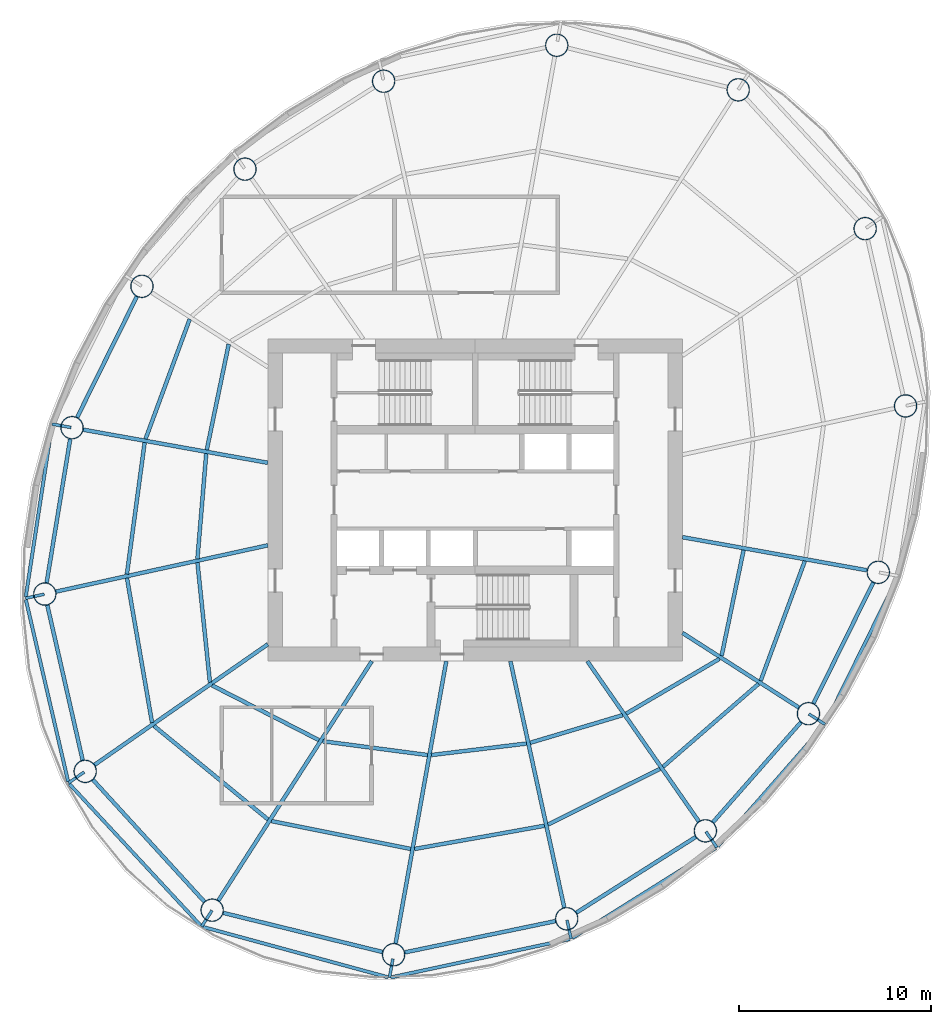
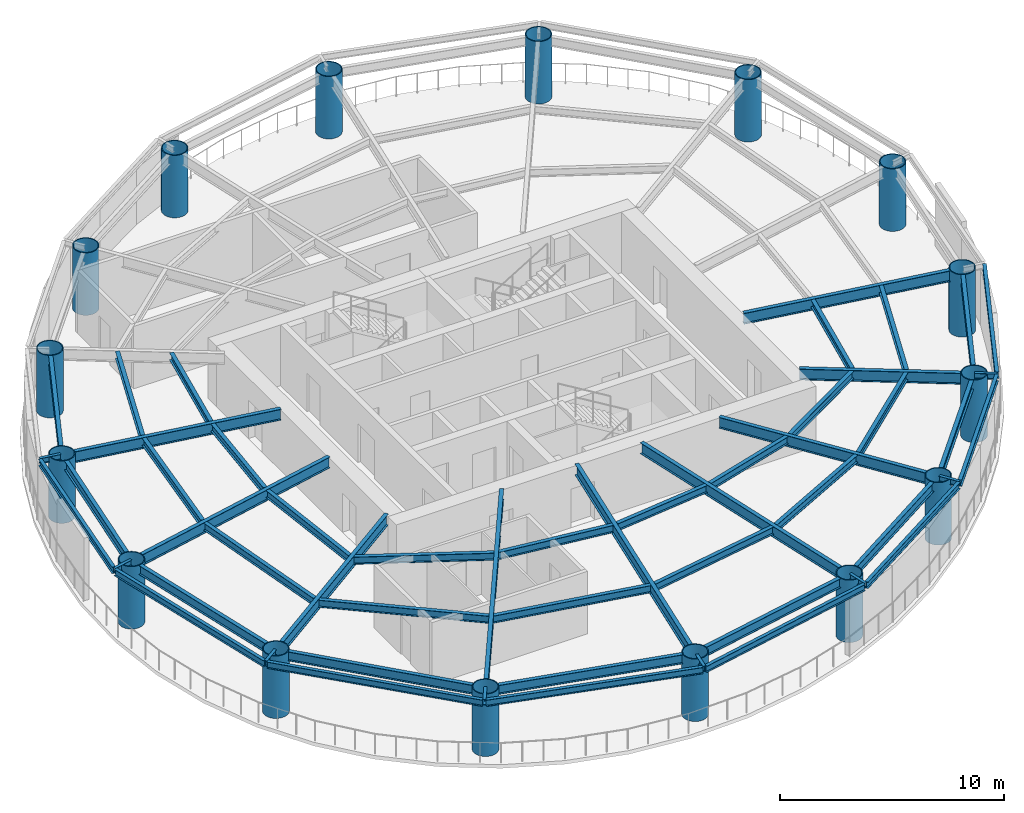
# One storey, part 1 of 8: 52 beams, 16 columns.
"""IFC4 building model written with IfcOpenShell, lengths in metres."""

from ifc_helpers import new_model, si_unit, direction, frame, origin, origin_2d, place, context, subcontext, project, spatial, hollow_circle, i_section, extrude, material, material_profile, profile_set, type_object, element, save


model = new_model("IFC4")

# Units and contexts
model_context = context("Model", 3, precision=1e-05, world=origin(), true_north=direction((0.0, 1.0)))
body_context = subcontext(model_context, "Body", "Model", "MODEL_VIEW")
ifc_project = project(units=[si_unit("LENGTHUNIT", "METRE"), si_unit("AREAUNIT", "SQUARE_METRE"), si_unit("VOLUMEUNIT", "CUBIC_METRE"), si_unit("PLANEANGLEUNIT", "RADIAN"), si_unit("MASSUNIT", "GRAM", prefix="KILO")], contexts=[model_context])

# Site, building, storey
site_placement = place(None, origin())
site = spatial("IfcSite", under=ifc_project, at=site_placement, CompositionType="ELEMENT")
building_placement = place(site_placement, origin())
building = spatial("IfcBuilding", under=site, at=building_placement, Name="Vermilion Reach Broadcast Tower", CompositionType="ELEMENT")
storey_placement = place(building_placement, frame((0.0, 0.0, 242.5)))
storey = spatial("IfcBuildingStorey", under=building, at=storey_placement, Name="L60", CompositionType="ELEMENT", Elevation=242.5)

# Columns
ifc_material_1 = material(Name="Concrete C60 infill in steel S460NL tube", Category="concrete")
ifc_material_profile_1 = material_profile(ifc_material_1, hollow_circle(Radius=0.60009765625, WallThickness=0.044921875, at=origin_2d()), Name="Concrete C60 infill in steel S460NL tube CFT 1200x45")
ifc_profile_set_1 = profile_set([ifc_material_profile_1], Name="Concrete C60 infill in steel S460NL tube")
column_type = type_object("IfcColumnType", Name="MC4 CFT 1200x45", PredefinedType="COLUMN", material=ifc_profile_set_1)
for number, where, z_axis, x_axis, name in (
    (1, (7.70361328125, 21.3701171875, 0.0), (0.0, 0.0, 1.0), (1.0, 0.0, 0.0), "Mega-column MC4-01"),
    (2, (-1.75, 23.691162109375, 0.0), (0.0, 0.0, 1.0), (1.0, 0.0, 0.0), "Mega-column MC4-02"),
    (3, (-10.769287109375, 21.818603515625, 0.0), (0.0, 0.0, 1.0), (1.0, 0.0, 0.0), "Mega-column MC4-03"),
    (4, (-17.993408203125, 17.23681640625, 0.0), (0.0, 0.0, 1.0), (1.0, 0.0, 0.0), "Mega-column MC4-04"),
    (5, (-23.36279296875, 11.134033203125, 0.0), (0.0, 0.0, 1.0), (1.0, 0.0, 0.0), "Mega-column MC4-05"),
    (6, (-27.002685546875, 3.767578125, 0.0), (0.0, 0.0, 1.0), (1.0, 0.0, 0.0), "Mega-column MC4-06"),
    (7, (-28.423828125, -4.9013671875, 0.0), (0.0, 0.0, 1.0), (1.0, 0.0, 0.0), "Mega-column MC4-07"),
    (8, (-26.318115234375, -14.13720703125, 0.0), (0.0, 0.0, 1.0), (1.0, 0.0, 0.0), "Mega-column MC4-08"),
    (9, (-19.70361328125, -21.3701171875, 0.0), (0.0, 0.0, 1.0), (1.0, 0.0, 0.0), "Mega-column MC4-09"),
    (10, (-10.25, -23.691162109375, 0.0), (0.0, 0.0, 1.0), (1.0, 0.0, 0.0), "Mega-column MC4-10"),
    (11, (-1.230712890625, -21.818603515625, 0.0), (0.0, 0.0, 1.0), (1.0, 0.0, 0.0), "Mega-column MC4-11"),
    (12, (5.993408203125, -17.23681640625, 0.0), (0.0, 0.0, 1.0), (1.0, 0.0, 0.0), "Mega-column MC4-12"),
    (13, (11.36279296875, -11.134033203125, 0.0), (0.0, 0.0, 1.0), (1.0, 0.0, 0.0), "Mega-column MC4-13"),
    (14, (15.002685546875, -3.767578125, 0.0), (0.0, 0.0, 1.0), (1.0, 0.0, 0.0), "Mega-column MC4-14"),
    (15, (16.423828125, 4.9013671875, 0.0), (0.0, 0.0, 1.0), (1.0, 0.0, 0.0), "Mega-column MC4-15"),
    (16, (14.318115234375, 14.13720703125, 0.0), (0.0, 0.0, 1.0), (1.0, 0.0, 0.0), "Mega-column MC4-16"),
):
    element("IfcColumn", number, at=place(storey_placement, frame(where, z_axis=z_axis, x_axis=x_axis)), inside=storey, type_object=column_type, Name=name, PredefinedType="COLUMN", context=body_context, shape_type="SweptSolid", body=[
        extrude(hollow_circle(Radius=0.60009765625, WallThickness=0.044921875, at=origin_2d()), origin(), (0.0, 0.0, 1.0), 3.39990234375),
    ])

# Beams
ifc_material_2 = material(Name="Steel S355J2", Category="steel")
ifc_material_profile_2 = material_profile(ifc_material_2, i_section(OverallWidth=0.175048828125, OverallDepth=0.35009765625, WebThickness=0.007080078125, FlangeThickness=0.010986328125, at=origin_2d()), Name="S355J2 HN 350x175x7x11")
ifc_profile_set_2 = profile_set([ifc_material_profile_2], Name="Steel S355J2")
beam_type_1 = type_object("IfcBeamType", Name="EB4 HN 350x175x7x11", PredefinedType="BEAM", material=ifc_profile_set_2)
beam_1_placement = place(storey_placement, frame((-28.050537109375, 3.87939453125, 3.22509765625), z_axis=(-0.15104669572, -0.988526628732, 0.0), x_axis=(0.988526628732, -0.15104669572, 0.0)))
element("IfcBeam", 17, at=beam_1_placement, inside=storey, type_object=beam_type_1, Name="Edge beam EB4-06", PredefinedType="BEAM", context=body_context, shape_type="SweptSolid", body=[
    extrude(i_section(OverallWidth=0.175048828125, OverallDepth=0.35009765625, WebThickness=0.007080078125, FlangeThickness=0.010986328125, at=origin_2d()), origin(), (0.0, 0.0, 1.0), 9.02392578125),
])
beam_2_placement = place(storey_placement, frame((-29.40869140625, -5.193603515625, 3.22509765625), z_axis=(0.226296896965, -0.974058373212, 0.0), x_axis=(0.974058373212, 0.226296896965, 0.0)))
element("IfcBeam", 18, at=beam_2_placement, inside=storey, type_object=beam_type_1, Name="Edge beam EB4-07", PredefinedType="BEAM", context=body_context, shape_type="SweptSolid", body=[
    extrude(i_section(OverallWidth=0.175048828125, OverallDepth=0.35009765625, WebThickness=0.007080078125, FlangeThickness=0.010986328125, at=origin_2d()), origin(), (0.0, 0.0, 1.0), 9.7236328125),
])
beam_3_placement = place(storey_placement, frame((-27.138427734375, -14.79931640625, 3.22509765625), z_axis=(0.680030753831, -0.733183588089, 0.0), x_axis=(0.733183588089, 0.680030753831, 0.0)))
element("IfcBeam", 19, at=beam_3_placement, inside=storey, type_object=beam_type_1, Name="Edge beam EB4-08", PredefinedType="BEAM", context=body_context, shape_type="SweptSolid", body=[
    extrude(i_section(OverallWidth=0.175048828125, OverallDepth=0.35009765625, WebThickness=0.007080078125, FlangeThickness=0.010986328125, at=origin_2d()), origin(), (0.0, 0.0, 1.0), 10.0498046875),
])
beam_4_placement = place(storey_placement, frame((-20.175537109375, -22.2451171875, 3.22509765625), z_axis=(0.964931144882, -0.26250311548, 0.0), x_axis=(0.26250311548, 0.964931144882, 0.0)))
element("IfcBeam", 20, at=beam_4_placement, inside=storey, type_object=beam_type_1, Name="Edge beam EB4-09", PredefinedType="BEAM", context=body_context, shape_type="SweptSolid", body=[
    extrude(i_section(OverallWidth=0.175048828125, OverallDepth=0.35009765625, WebThickness=0.007080078125, FlangeThickness=0.010986328125, at=origin_2d()), origin(), (0.0, 0.0, 1.0), 9.98876953125),
])
beam_5_placement = place(storey_placement, frame((-10.38525390625, -24.8701171875, 3.22509765625), z_axis=(0.977909243835, 0.209029928054, 0.0), x_axis=(-0.209029928054, 0.977909243835, 0.0)))
element("IfcBeam", 21, at=beam_5_placement, inside=storey, type_object=beam_type_1, Name="Edge beam EB4-10", PredefinedType="BEAM", context=body_context, shape_type="SweptSolid", body=[
    extrude(i_section(OverallWidth=0.175048828125, OverallDepth=0.35009765625, WebThickness=0.007080078125, FlangeThickness=0.010986328125, at=origin_2d()), origin(), (0.0, 0.0, 1.0), 9.52001953125),
])
beam_6_placement = place(storey_placement, frame((-0.9345703125, -22.822021484375, 3.22509765625), z_axis=(0.847297137306, 0.531119159053, 0.0), x_axis=(-0.531119159053, 0.847297137306, 0.0)))
element("IfcBeam", 22, at=beam_6_placement, inside=storey, type_object=beam_type_1, Name="Edge beam EB4-11", PredefinedType="BEAM", context=body_context, shape_type="SweptSolid", body=[
    extrude(i_section(OverallWidth=0.175048828125, OverallDepth=0.35009765625, WebThickness=0.007080078125, FlangeThickness=0.010986328125, at=origin_2d()), origin(), (0.0, 0.0, 1.0), 8.81201171875),
])
beam_7_placement = place(storey_placement, frame((6.646240234375, -18.0439453125, 3.22509765625), z_axis=(0.659728565975, 0.751503971537, 0.0), x_axis=(-0.751503971537, 0.659728565975, 0.0)))
element("IfcBeam", 23, at=beam_7_placement, inside=storey, type_object=beam_type_1, Name="Edge beam EB4-12", PredefinedType="BEAM", context=body_context, shape_type="SweptSolid", body=[
    extrude(i_section(OverallWidth=0.175048828125, OverallDepth=0.35009765625, WebThickness=0.007080078125, FlangeThickness=0.010986328125, at=origin_2d()), origin(), (0.0, 0.0, 1.0), 8.38232421875),
])
beam_8_placement = place(storey_placement, frame((12.259765625, -11.619873046875, 3.22509765625), z_axis=(0.4421676497, 0.896932421958, 0.0), x_axis=(-0.896932421958, 0.4421676497, 0.0)))
element("IfcBeam", 24, at=beam_8_placement, inside=storey, type_object=beam_type_1, Name="Edge beam EB4-13", PredefinedType="BEAM", context=body_context, shape_type="SweptSolid", body=[
    extrude(i_section(OverallWidth=0.175048828125, OverallDepth=0.35009765625, WebThickness=0.007080078125, FlangeThickness=0.010986328125, at=origin_2d()), origin(), (0.0, 0.0, 1.0), 8.46923828125),
])
ifc_material_3 = material(Name="Steel S355J2", Category="steel")
ifc_material_profile_3 = material_profile(ifc_material_3, i_section(OverallWidth=0.199951171875, OverallDepth=0.60009765625, WebThickness=0.010986328125, FlangeThickness=0.01708984375, at=origin_2d()), Name="S355J2 HN 600x200x11x17")
ifc_profile_set_3 = profile_set([ifc_material_profile_3], Name="Steel S355J2")
beam_type_2 = type_object("IfcBeamType", Name="G4 HN 600x200x11x17", PredefinedType="BEAM", material=ifc_profile_set_3)
beam_9_placement = place(storey_placement, frame((-16.800048828125, 1.9375, 3.10009765625), z_axis=(-0.984291153273, 0.176552897422, 0.0), x_axis=(-0.176552897422, -0.984291153273, 0.0)))
element("IfcBeam", 25, at=beam_9_placement, inside=storey, type_object=beam_type_2, Name="Girder G4-06", PredefinedType="BEAM", context=body_context, shape_type="SweptSolid", body=[
    extrude(i_section(OverallWidth=0.199951171875, OverallDepth=0.60009765625, WebThickness=0.010986328125, FlangeThickness=0.01708984375, at=origin_2d()), origin(), (0.0, 0.0, 1.0), 9.765380859375),
])
beam_10_placement = place(storey_placement, frame((-16.800048828125, -2.360595703125, 3.10009765625), z_axis=(-0.976930175286, -0.213558967537, 0.0), x_axis=(0.213558967537, -0.976930175286, 0.0)))
element("IfcBeam", 26, at=beam_10_placement, inside=storey, type_object=beam_type_2, Name="Girder G4-07", PredefinedType="BEAM", context=body_context, shape_type="SweptSolid", body=[
    extrude(i_section(OverallWidth=0.199951171875, OverallDepth=0.60009765625, WebThickness=0.010986328125, FlangeThickness=0.01708984375, at=origin_2d()), origin(), (0.0, 0.0, 1.0), 11.29833984375),
])
beam_11_placement = place(storey_placement, frame((-16.800048828125, -7.5146484375, 3.10009765625), z_axis=(-0.820848627818, -0.571145804684, 0.0), x_axis=(0.571145804684, -0.820848627818, 0.0)))
element("IfcBeam", 27, at=beam_11_placement, inside=storey, type_object=beam_type_2, Name="Girder G4-08", PredefinedType="BEAM", context=body_context, shape_type="SweptSolid", body=[
    extrude(i_section(OverallWidth=0.199951171875, OverallDepth=0.60009765625, WebThickness=0.010986328125, FlangeThickness=0.01708984375, at=origin_2d()), origin(), (0.0, 0.0, 1.0), 10.99560546875),
])
beam_12_placement = place(storey_placement, frame((-11.386474609375, -8.39990234375, 3.10009765625), z_axis=(-0.539796447586, -0.84179557802, 0.0), x_axis=(0.84179557802, -0.539796447586, 0.0)))
element("IfcBeam", 28, at=beam_12_placement, inside=storey, type_object=beam_type_2, Name="Girder G4-09", PredefinedType="BEAM", context=body_context, shape_type="SweptSolid", body=[
    extrude(i_section(OverallWidth=0.199951171875, OverallDepth=0.60009765625, WebThickness=0.010986328125, FlangeThickness=0.01708984375, at=origin_2d()), origin(), (0.0, 0.0, 1.0), 14.8076171875),
])
beam_13_placement = place(storey_placement, frame((-7.5068359375, -8.39990234375, 3.10009765625), z_axis=(-0.176574729047, -0.984287237072, 0.0), x_axis=(0.984287237072, -0.176574729047, 0.0)))
element("IfcBeam", 29, at=beam_13_placement, inside=storey, type_object=beam_type_2, Name="Girder G4-10", PredefinedType="BEAM", context=body_context, shape_type="SweptSolid", body=[
    extrude(i_section(OverallWidth=0.199951171875, OverallDepth=0.60009765625, WebThickness=0.010986328125, FlangeThickness=0.01708984375, at=origin_2d()), origin(), (0.0, 0.0, 1.0), 14.935302734375),
])
beam_14_placement = place(storey_placement, frame((-4.163818359375, -8.39990234375, 3.10009765625), z_axis=(0.213538346548, -0.976934682849, 0.0), x_axis=(0.976934682849, 0.213538346548, 0.0)))
element("IfcBeam", 30, at=beam_14_placement, inside=storey, type_object=beam_type_2, Name="Girder G4-11", PredefinedType="BEAM", context=body_context, shape_type="SweptSolid", body=[
    extrude(i_section(OverallWidth=0.199951171875, OverallDepth=0.60009765625, WebThickness=0.010986328125, FlangeThickness=0.01708984375, at=origin_2d()), origin(), (0.0, 0.0, 1.0), 13.135498046875),
])
beam_15_placement = place(storey_placement, frame((-0.1552734375, -8.39990234375, 3.10009765625), z_axis=(0.571134149017, -0.8208567377, 0.0), x_axis=(0.8208567377, 0.571134149017, 0.0)))
element("IfcBeam", 31, at=beam_15_placement, inside=storey, type_object=beam_type_2, Name="Girder G4-12", PredefinedType="BEAM", context=body_context, shape_type="SweptSolid", body=[
    extrude(i_section(OverallWidth=0.199951171875, OverallDepth=0.60009765625, WebThickness=0.010986328125, FlangeThickness=0.01708984375, at=origin_2d()), origin(), (0.0, 0.0, 1.0), 10.16552734375),
])
beam_16_placement = place(storey_placement, frame((4.800048828125, -6.925537109375, 3.10009765625), z_axis=(0.841798504642, -0.539791883584, 0.0), x_axis=(0.539791883584, 0.841798504642, 0.0)))
element("IfcBeam", 32, at=beam_16_placement, inside=storey, type_object=beam_type_2, Name="Girder G4-13", PredefinedType="BEAM", context=body_context, shape_type="SweptSolid", body=[
    extrude(i_section(OverallWidth=0.199951171875, OverallDepth=0.60009765625, WebThickness=0.010986328125, FlangeThickness=0.01708984375, at=origin_2d()), origin(), (0.0, 0.0, 1.0), 7.1962890625),
])
beam_17_placement = place(storey_placement, frame((4.800048828125, -1.9375, 3.10009765625), z_axis=(0.984291153273, -0.176552897422, 0.0), x_axis=(0.176552897422, 0.984291153273, 0.0)))
element("IfcBeam", 33, at=beam_17_placement, inside=storey, type_object=beam_type_2, Name="Girder G4-14", PredefinedType="BEAM", context=body_context, shape_type="SweptSolid", body=[
    extrude(i_section(OverallWidth=0.199951171875, OverallDepth=0.60009765625, WebThickness=0.010986328125, FlangeThickness=0.01708984375, at=origin_2d()), origin(), (0.0, 0.0, 1.0), 9.765380859375),
])
ifc_material_4 = material(Name="Steel S355J2", Category="steel")
ifc_material_profile_4 = material_profile(ifc_material_4, i_section(OverallWidth=0.14990234375, OverallDepth=0.300048828125, WebThickness=0.006591796875, FlangeThickness=0.009033203125, at=origin_2d()), Name="S355J2 HN 300x150x6.5x9")
ifc_profile_set_4 = profile_set([ifc_material_profile_4], Name="Steel S355J2")
beam_type_3 = type_object("IfcBeamType", Name="GS4 HN 300x150x6.5x9", PredefinedType="BEAM", material=ifc_profile_set_4)
beam_18_placement = place(storey_placement, frame((-27.054931640625, 3.777099609375, 3.25), z_axis=(-0.984292973606, 0.176542748677, 0.0), x_axis=(-0.176542748677, -0.984292973606, 0.0)))
element("IfcBeam", 34, at=beam_18_placement, inside=storey, type_object=beam_type_3, Name="Cantilever stub GS4-06", PredefinedType="BEAM", context=body_context, shape_type="SweptSolid", body=[
    extrude(i_section(OverallWidth=0.14990234375, OverallDepth=0.300048828125, WebThickness=0.006591796875, FlangeThickness=0.009033203125, at=origin_2d()), origin(), (0.0, 0.0, 1.0), 0.999755859375),
])
for number, where, z_axis, x_axis, name in (
    (35, (-28.44873046875, -4.906982421875, 3.25), (-0.976922307173, -0.213594957215, 0.0), (0.213594957215, -0.976922307173, 0.0), "Cantilever stub GS4-07"),
    (36, (-26.368896484375, -14.172607421875, 3.25), (-0.820845498428, -0.571150302207, 0.0), (0.571150302207, -0.820845498428, 0.0), "Cantilever stub GS4-08"),
):
    element("IfcBeam", number, at=place(storey_placement, frame(where, z_axis=z_axis, x_axis=x_axis)), inside=storey, type_object=beam_type_3, Name=name, PredefinedType="BEAM", context=body_context, shape_type="SweptSolid", body=[
        extrude(i_section(OverallWidth=0.14990234375, OverallDepth=0.300048828125, WebThickness=0.006591796875, FlangeThickness=0.009033203125, at=origin_2d()), origin(), (0.0, 0.0, 1.0), 1.000244140625),
    ])
for number, where, z_axis, x_axis, name in (
    (37, (-19.711669921875, -21.382568359375, 3.25), (-0.539794777091, -0.841796649213, 0.0), (0.841796649213, -0.539794777091, 0.0), "Cantilever stub GS4-09"),
    (38, (-10.287841796875, -23.902587890625, 3.25), (-0.176500327456, -0.984300581331, 0.0), (0.984300581331, -0.176500327456, 0.0), "Cantilever stub GS4-10"),
):
    element("IfcBeam", number, at=place(storey_placement, frame(where, z_axis=z_axis, x_axis=x_axis)), inside=storey, type_object=beam_type_3, Name=name, PredefinedType="BEAM", context=body_context, shape_type="SweptSolid", body=[
        extrude(i_section(OverallWidth=0.14990234375, OverallDepth=0.300048828125, WebThickness=0.006591796875, FlangeThickness=0.009033203125, at=origin_2d()), origin(), (0.0, 0.0, 1.0), 1.0),
    ])
beam_19_placement = place(storey_placement, frame((-1.2158203125, -21.887451171875, 3.25), z_axis=(0.213594957215, -0.976922307173, 0.0), x_axis=(0.976922307173, 0.213594957215, 0.0)))
element("IfcBeam", 39, at=beam_19_placement, inside=storey, type_object=beam_type_3, Name="Cantilever stub GS4-11", PredefinedType="BEAM", context=body_context, shape_type="SweptSolid", body=[
    extrude(i_section(OverallWidth=0.14990234375, OverallDepth=0.300048828125, WebThickness=0.006591796875, FlangeThickness=0.009033203125, at=origin_2d()), origin(), (0.0, 0.0, 1.0), 1.000244140625),
])
for number, where, z_axis, x_axis, name in (
    (40, (6.024169921875, -17.281005859375, 3.25), (0.570985808908, -0.82095992961, 0.0), (0.82095992961, 0.570985808908, 0.0), "Cantilever stub GS4-12"),
    (41, (11.384521484375, -11.147705078125, 3.25), (0.841796649213, -0.539794777091, 0.0), (0.539794777091, 0.841796649213, 0.0), "Cantilever stub GS4-13"),
):
    element("IfcBeam", number, at=place(storey_placement, frame(where, z_axis=z_axis, x_axis=x_axis)), inside=storey, type_object=beam_type_3, Name=name, PredefinedType="BEAM", context=body_context, shape_type="SweptSolid", body=[
        extrude(i_section(OverallWidth=0.14990234375, OverallDepth=0.300048828125, WebThickness=0.006591796875, FlangeThickness=0.009033203125, at=origin_2d()), origin(), (0.0, 0.0, 1.0), 1.0),
    ])
ifc_material_5 = material(Name="Steel S355J2", Category="steel")
ifc_material_profile_5 = material_profile(ifc_material_5, i_section(OverallWidth=0.199951171875, OverallDepth=0.5, WebThickness=0.010009765625, FlangeThickness=0.01611328125, at=origin_2d()), Name="S355J2 HN 500x200x10x16")
ifc_profile_set_5 = profile_set([ifc_material_profile_5], Name="Steel S355J2")
beam_type_4 = type_object("IfcBeamType", Name="RB4 HN 500x200x10x16", PredefinedType="BEAM", material=ifc_profile_set_5)
beam_20_placement = place(storey_placement, frame((-23.628662109375, 10.595947265625, 3.14990234375), z_axis=(-0.442977497199, -0.896532730566, 0.0), x_axis=(0.896532730566, -0.442977497199, 0.0)))
element("IfcBeam", 42, at=beam_20_placement, inside=storey, type_object=beam_type_4, Name="Ring beam RB4-05", PredefinedType="BEAM", context=body_context, shape_type="SweptSolid", body=[
    extrude(i_section(OverallWidth=0.199951171875, OverallDepth=0.5, WebThickness=0.010009765625, FlangeThickness=0.01611328125, at=origin_2d()), origin(), (0.0, 0.0, 1.0), 7.0166015625),
])
beam_21_placement = place(storey_placement, frame((-27.099609375, 3.175537109375, 3.14990234375), z_axis=(-0.161778110263, -0.986827159659, 0.0), x_axis=(0.986827159659, -0.161778110263, 0.0)))
element("IfcBeam", 43, at=beam_21_placement, inside=storey, type_object=beam_type_4, Name="Ring beam RB4-06", PredefinedType="BEAM", context=body_context, shape_type="SweptSolid", body=[
    extrude(i_section(OverallWidth=0.199951171875, OverallDepth=0.5, WebThickness=0.010009765625, FlangeThickness=0.01611328125, at=origin_2d()), origin(), (0.0, 0.0, 1.0), 7.584716796875),
])
beam_22_placement = place(storey_placement, frame((-28.290283203125, -5.486572265625, 3.14990234375), z_axis=(0.222283068275, -0.974982172944, 0.0), x_axis=(0.974982172944, 0.222283068275, 0.0)))
element("IfcBeam", 44, at=beam_22_placement, inside=storey, type_object=beam_type_4, Name="Ring beam RB4-07", PredefinedType="BEAM", context=body_context, shape_type="SweptSolid", body=[
    extrude(i_section(OverallWidth=0.199951171875, OverallDepth=0.5, WebThickness=0.010009765625, FlangeThickness=0.01611328125, at=origin_2d()), origin(), (0.0, 0.0, 1.0), 8.272705078125),
])
beam_23_placement = place(storey_placement, frame((-25.9130859375, -14.580078125, 3.14990234375), z_axis=(0.674868141417, -0.737938338684, 0.0), x_axis=(0.737938338684, 0.674868141417, 0.0)))
element("IfcBeam", 45, at=beam_23_placement, inside=storey, type_object=beam_type_4, Name="Ring beam RB4-08", PredefinedType="BEAM", context=body_context, shape_type="SweptSolid", body=[
    extrude(i_section(OverallWidth=0.199951171875, OverallDepth=0.5, WebThickness=0.010009765625, FlangeThickness=0.01611328125, at=origin_2d()), origin(), (0.0, 0.0, 1.0), 8.601318359375),
])
beam_24_placement = place(storey_placement, frame((-19.120849609375, -21.51318359375, 3.14990234375), z_axis=(0.971158622271, -0.238434331398, 0.0), x_axis=(0.238434331398, 0.971158622271, 0.0)))
element("IfcBeam", 46, at=beam_24_placement, inside=storey, type_object=beam_type_4, Name="Ring beam RB4-09", PredefinedType="BEAM", context=body_context, shape_type="SweptSolid", body=[
    extrude(i_section(OverallWidth=0.199951171875, OverallDepth=0.5, WebThickness=0.010009765625, FlangeThickness=0.01611328125, at=origin_2d()), origin(), (0.0, 0.0, 1.0), 8.534423828125),
])
beam_25_placement = place(storey_placement, frame((-9.662353515625, -23.569091796875, 3.14990234375), z_axis=(0.97912342484, 0.203266620302, 0.0), x_axis=(-0.203266620302, 0.97912342484, 0.0)))
element("IfcBeam", 47, at=beam_25_placement, inside=storey, type_object=beam_type_4, Name="Ring beam RB4-10", PredefinedType="BEAM", context=body_context, shape_type="SweptSolid", body=[
    extrude(i_section(OverallWidth=0.199951171875, OverallDepth=0.5, WebThickness=0.010009765625, FlangeThickness=0.01611328125, at=origin_2d()), origin(), (0.0, 0.0, 1.0), 8.01123046875),
])
beam_26_placement = place(storey_placement, frame((-0.72412109375, -21.497314453125, 3.14990234375), z_axis=(0.84446426774, 0.535611893549, 0.0), x_axis=(-0.535611893549, 0.84446426774, 0.0)))
element("IfcBeam", 48, at=beam_26_placement, inside=storey, type_object=beam_type_4, Name="Ring beam RB4-11", PredefinedType="BEAM", context=body_context, shape_type="SweptSolid", body=[
    extrude(i_section(OverallWidth=0.199951171875, OverallDepth=0.5, WebThickness=0.010009765625, FlangeThickness=0.01611328125, at=origin_2d()), origin(), (0.0, 0.0, 1.0), 7.3544921875),
])
beam_27_placement = place(storey_placement, frame((6.3896484375, -16.786376953125, 3.14990234375), z_axis=(0.660565141761, 0.750768735024, 0.0), x_axis=(-0.750768735024, 0.660565141761, 0.0)))
element("IfcBeam", 49, at=beam_27_placement, inside=storey, type_object=beam_type_4, Name="Ring beam RB4-12", PredefinedType="BEAM", context=body_context, shape_type="SweptSolid", body=[
    extrude(i_section(OverallWidth=0.199951171875, OverallDepth=0.5, WebThickness=0.010009765625, FlangeThickness=0.01611328125, at=origin_2d()), origin(), (0.0, 0.0, 1.0), 6.9287109375),
])
beam_28_placement = place(storey_placement, frame((11.628662109375, -10.595947265625, 3.14990234375), z_axis=(0.442977497199, 0.896532730566, 0.0), x_axis=(-0.896532730566, 0.442977497199, 0.0)))
element("IfcBeam", 50, at=beam_28_placement, inside=storey, type_object=beam_type_4, Name="Ring beam RB4-13", PredefinedType="BEAM", context=body_context, shape_type="SweptSolid", body=[
    extrude(i_section(OverallWidth=0.199951171875, OverallDepth=0.5, WebThickness=0.010009765625, FlangeThickness=0.01611328125, at=origin_2d()), origin(), (0.0, 0.0, 1.0), 7.0166015625),
])
ifc_material_6 = material(Name="Steel S355J2", Category="steel")
ifc_material_profile_6 = material_profile(ifc_material_6, i_section(OverallWidth=0.199951171875, OverallDepth=0.39990234375, WebThickness=0.008056640625, FlangeThickness=0.012939453125, at=origin_2d()), Name="S355J2 HN 400x200x8x13")
ifc_profile_set_6 = profile_set([ifc_material_profile_6], Name="Steel S355J2")
beam_type_5 = type_object("IfcBeamType", Name="SB4 HN 400x200x8x13", PredefinedType="BEAM", material=ifc_profile_set_6)
beam_29_placement = place(storey_placement, frame((-18.841064453125, 8.115478515625, 3.199951171875), z_axis=(-0.20320860258, -0.979135467562, 0.0), x_axis=(0.979135467562, -0.20320860258, 0.0)))
element("IfcBeam", 51, at=beam_29_placement, inside=storey, type_object=beam_type_5, Name="Secondary beam SB4-05-1", PredefinedType="BEAM", context=body_context, shape_type="SweptSolid", body=[
    extrude(i_section(OverallWidth=0.199951171875, OverallDepth=0.39990234375, WebThickness=0.008056640625, FlangeThickness=0.012939453125, at=origin_2d()), origin(), (0.0, 0.0, 1.0), 5.622802734375),
])
beam_30_placement = place(storey_placement, frame((-20.8740234375, 9.419189453125, 3.199951171875), z_axis=(-0.345833008621, -0.938296078084, 0.0), x_axis=(0.938296078084, -0.345833008621, 0.0)))
element("IfcBeam", 52, at=beam_30_placement, inside=storey, type_object=beam_type_5, Name="Secondary beam SB4-05-2", PredefinedType="BEAM", context=body_context, shape_type="SweptSolid", body=[
    extrude(i_section(OverallWidth=0.199951171875, OverallDepth=0.39990234375, WebThickness=0.008056640625, FlangeThickness=0.012939453125, at=origin_2d()), origin(), (0.0, 0.0, 1.0), 6.647216796875),
])
beam_31_placement = place(storey_placement, frame((-20.012451171875, 2.412109375, 3.199951171875), z_axis=(-0.08339866655, -0.996516262997, 0.0), x_axis=(0.996516262997, -0.08339866655, 0.0)))
element("IfcBeam", 53, at=beam_31_placement, inside=storey, type_object=beam_type_5, Name="Secondary beam SB4-06-1", PredefinedType="BEAM", context=body_context, shape_type="SweptSolid", body=[
    extrude(i_section(OverallWidth=0.199951171875, OverallDepth=0.39990234375, WebThickness=0.008056640625, FlangeThickness=0.012939453125, at=origin_2d()), origin(), (0.0, 0.0, 1.0), 5.49169921875),
])
beam_32_placement = place(storey_placement, frame((-23.221435546875, 2.98779296875, 3.199951171875), z_axis=(-0.133486718782, -0.991050602093, 0.0), x_axis=(0.991050602093, -0.133486718782, 0.0)))
element("IfcBeam", 54, at=beam_32_placement, inside=storey, type_object=beam_type_5, Name="Secondary beam SB4-06-2", PredefinedType="BEAM", context=body_context, shape_type="SweptSolid", body=[
    extrude(i_section(OverallWidth=0.199951171875, OverallDepth=0.39990234375, WebThickness=0.008056640625, FlangeThickness=0.012939453125, at=origin_2d()), origin(), (0.0, 0.0, 1.0), 6.913330078125),
])
beam_33_placement = place(storey_placement, frame((-20.46875, -3.264892578125, 3.199951171875), z_axis=(0.103532173355, -0.994626105167, 0.0), x_axis=(0.994626105167, 0.103532173355, 0.0)))
element("IfcBeam", 55, at=beam_33_placement, inside=storey, type_object=beam_type_5, Name="Secondary beam SB4-07-1", PredefinedType="BEAM", context=body_context, shape_type="SweptSolid", body=[
    extrude(i_section(OverallWidth=0.199951171875, OverallDepth=0.39990234375, WebThickness=0.008056640625, FlangeThickness=0.012939453125, at=origin_2d()), origin(), (0.0, 0.0, 1.0), 6.26318359375),
])
beam_34_placement = place(storey_placement, frame((-24.141357421875, -4.067626953125, 3.199951171875), z_axis=(0.170926997669, -0.985283695931, 0.0), x_axis=(0.985283695931, 0.170926997669, 0.0)))
element("IfcBeam", 56, at=beam_34_placement, inside=storey, type_object=beam_type_5, Name="Secondary beam SB4-07-2", PredefinedType="BEAM", context=body_context, shape_type="SweptSolid", body=[
    extrude(i_section(OverallWidth=0.199951171875, OverallDepth=0.39990234375, WebThickness=0.008056640625, FlangeThickness=0.012939453125, at=origin_2d()), origin(), (0.0, 0.0, 1.0), 7.63720703125),
])
beam_35_placement = place(storey_placement, frame((-19.707763671875, -9.659423828125, 3.199951171875), z_axis=(0.89015575218, -0.455656380249, 0.0), x_axis=(0.455656380249, 0.89015575218, 0.0)))
element("IfcBeam", 57, at=beam_35_placement, inside=storey, type_object=beam_type_5, Name="Secondary beam SB4-08-1", PredefinedType="BEAM", context=body_context, shape_type="SweptSolid", body=[
    extrude(i_section(OverallWidth=0.199951171875, OverallDepth=0.39990234375, WebThickness=0.008056640625, FlangeThickness=0.012939453125, at=origin_2d()), origin(), (0.0, 0.0, 1.0), 6.25439453125),
])
beam_36_placement = place(storey_placement, frame((-22.73681640625, -11.76708984375, 3.199951171875), z_axis=(0.772952000494, -0.6344645025, 0.0), x_axis=(0.6344645025, 0.772952000494, 0.0)))
element("IfcBeam", 58, at=beam_36_placement, inside=storey, type_object=beam_type_5, Name="Secondary beam SB4-08-2", PredefinedType="BEAM", context=body_context, shape_type="SweptSolid", body=[
    extrude(i_section(OverallWidth=0.199951171875, OverallDepth=0.39990234375, WebThickness=0.008056640625, FlangeThickness=0.012939453125, at=origin_2d()), origin(), (0.0, 0.0, 1.0), 7.689697265625),
])
beam_37_placement = place(storey_placement, frame((-13.94140625, -12.5693359375, 3.199951171875), z_axis=(0.991458070019, -0.130425823341, 0.0), x_axis=(0.130425823341, 0.991458070019, 0.0)))
element("IfcBeam", 59, at=beam_37_placement, inside=storey, type_object=beam_type_5, Name="Secondary beam SB4-09-1", PredefinedType="BEAM", context=body_context, shape_type="SweptSolid", body=[
    extrude(i_section(OverallWidth=0.199951171875, OverallDepth=0.39990234375, WebThickness=0.008056640625, FlangeThickness=0.012939453125, at=origin_2d()), origin(), (0.0, 0.0, 1.0), 5.50341796875),
])
beam_38_placement = place(storey_placement, frame((-16.60986328125, -16.73095703125, 3.199951171875), z_axis=(0.9805717807, -0.196160604851, 0.0), x_axis=(0.196160604851, 0.9805717807, 0.0)))
element("IfcBeam", 60, at=beam_38_placement, inside=storey, type_object=beam_type_5, Name="Secondary beam SB4-09-2", PredefinedType="BEAM", context=body_context, shape_type="SweptSolid", body=[
    extrude(i_section(OverallWidth=0.199951171875, OverallDepth=0.39990234375, WebThickness=0.008056640625, FlangeThickness=0.012939453125, at=origin_2d()), origin(), (0.0, 0.0, 1.0), 7.390380859375),
])
beam_39_placement = place(storey_placement, frame((-8.281982421875, -13.28759765625, 3.199951171875), z_axis=(0.99278788328, 0.119884189168, 0.0), x_axis=(-0.119884189168, 0.99278788328, 0.0)))
element("IfcBeam", 61, at=beam_39_placement, inside=storey, type_object=beam_type_5, Name="Secondary beam SB4-10-1", PredefinedType="BEAM", context=body_context, shape_type="SweptSolid", body=[
    extrude(i_section(OverallWidth=0.199951171875, OverallDepth=0.39990234375, WebThickness=0.008056640625, FlangeThickness=0.012939453125, at=origin_2d()), origin(), (0.0, 0.0, 1.0), 4.9892578125),
])
beam_40_placement = place(storey_placement, frame((-9.159912109375, -18.181640625, 3.199951171875), z_axis=(0.984415281892, 0.175859468829, 0.0), x_axis=(-0.175859468829, 0.984415281892, 0.0)))
element("IfcBeam", 62, at=beam_40_placement, inside=storey, type_object=beam_type_5, Name="Secondary beam SB4-10-2", PredefinedType="BEAM", context=body_context, shape_type="SweptSolid", body=[
    extrude(i_section(OverallWidth=0.199951171875, OverallDepth=0.39990234375, WebThickness=0.008056640625, FlangeThickness=0.012939453125, at=origin_2d()), origin(), (0.0, 0.0, 1.0), 6.874755859375),
])
beam_41_placement = place(storey_placement, frame((-3.1328125, -12.64892578125, 3.199951171875), z_axis=(0.958173460215, 0.28618808525, 0.0), x_axis=(-0.28618808525, 0.958173460215, 0.0)))
element("IfcBeam", 63, at=beam_41_placement, inside=storey, type_object=beam_type_5, Name="Secondary beam SB4-11-1", PredefinedType="BEAM", context=body_context, shape_type="SweptSolid", body=[
    extrude(i_section(OverallWidth=0.199951171875, OverallDepth=0.39990234375, WebThickness=0.008056640625, FlangeThickness=0.012939453125, at=origin_2d()), origin(), (0.0, 0.0, 1.0), 5.02197265625),
])
beam_42_placement = place(storey_placement, frame((-2.20166015625, -16.908935546875, 3.199951171875), z_axis=(0.895183615542, 0.445697536974, 0.0), x_axis=(-0.445697536974, 0.895183615542, 0.0)))
element("IfcBeam", 64, at=beam_42_placement, inside=storey, type_object=beam_type_5, Name="Secondary beam SB4-11-2", PredefinedType="BEAM", context=body_context, shape_type="SweptSolid", body=[
    extrude(i_section(OverallWidth=0.199951171875, OverallDepth=0.39990234375, WebThickness=0.008056640625, FlangeThickness=0.012939453125, at=origin_2d()), origin(), (0.0, 0.0, 1.0), 6.508544921875),
])
beam_43_placement = place(storey_placement, frame((1.866455078125, -11.130615234375, 3.199951171875), z_axis=(0.862172572268, 0.506614701356, 0.0), x_axis=(-0.506614701356, 0.862172572268, 0.0)))
element("IfcBeam", 65, at=beam_43_placement, inside=storey, type_object=beam_type_5, Name="Secondary beam SB4-12-1", PredefinedType="BEAM", context=body_context, shape_type="SweptSolid", body=[
    extrude(i_section(OverallWidth=0.199951171875, OverallDepth=0.39990234375, WebThickness=0.008056640625, FlangeThickness=0.012939453125, at=origin_2d()), origin(), (0.0, 0.0, 1.0), 5.632568359375),
])
beam_44_placement = place(storey_placement, frame((3.791259765625, -13.89697265625, 3.199951171875), z_axis=(0.755129308567, 0.655575874589, 0.0), x_axis=(-0.655575874589, 0.755129308567, 0.0)))
element("IfcBeam", 66, at=beam_44_placement, inside=storey, type_object=beam_type_5, Name="Secondary beam SB4-12-2", PredefinedType="BEAM", context=body_context, shape_type="SweptSolid", body=[
    extrude(i_section(OverallWidth=0.199951171875, OverallDepth=0.39990234375, WebThickness=0.008056640625, FlangeThickness=0.012939453125, at=origin_2d()), origin(), (0.0, 0.0, 1.0), 6.57958984375),
])
beam_45_placement = place(storey_placement, frame((6.841064453125, -8.115478515625, 3.199951171875), z_axis=(0.20320860258, 0.979135467562, 0.0), x_axis=(-0.979135467562, 0.20320860258, 0.0)))
element("IfcBeam", 67, at=beam_45_placement, inside=storey, type_object=beam_type_5, Name="Secondary beam SB4-13-1", PredefinedType="BEAM", context=body_context, shape_type="SweptSolid", body=[
    extrude(i_section(OverallWidth=0.199951171875, OverallDepth=0.39990234375, WebThickness=0.008056640625, FlangeThickness=0.012939453125, at=origin_2d()), origin(), (0.0, 0.0, 1.0), 5.622802734375),
])
beam_46_placement = place(storey_placement, frame((8.8740234375, -9.419189453125, 3.199951171875), z_axis=(0.345833008621, 0.938296078084, 0.0), x_axis=(-0.938296078084, 0.345833008621, 0.0)))
element("IfcBeam", 68, at=beam_46_placement, inside=storey, type_object=beam_type_5, Name="Secondary beam SB4-13-2", PredefinedType="BEAM", context=body_context, shape_type="SweptSolid", body=[
    extrude(i_section(OverallWidth=0.199951171875, OverallDepth=0.39990234375, WebThickness=0.008056640625, FlangeThickness=0.012939453125, at=origin_2d()), origin(), (0.0, 0.0, 1.0), 6.647216796875),
])

save(model, "model.ifc")
